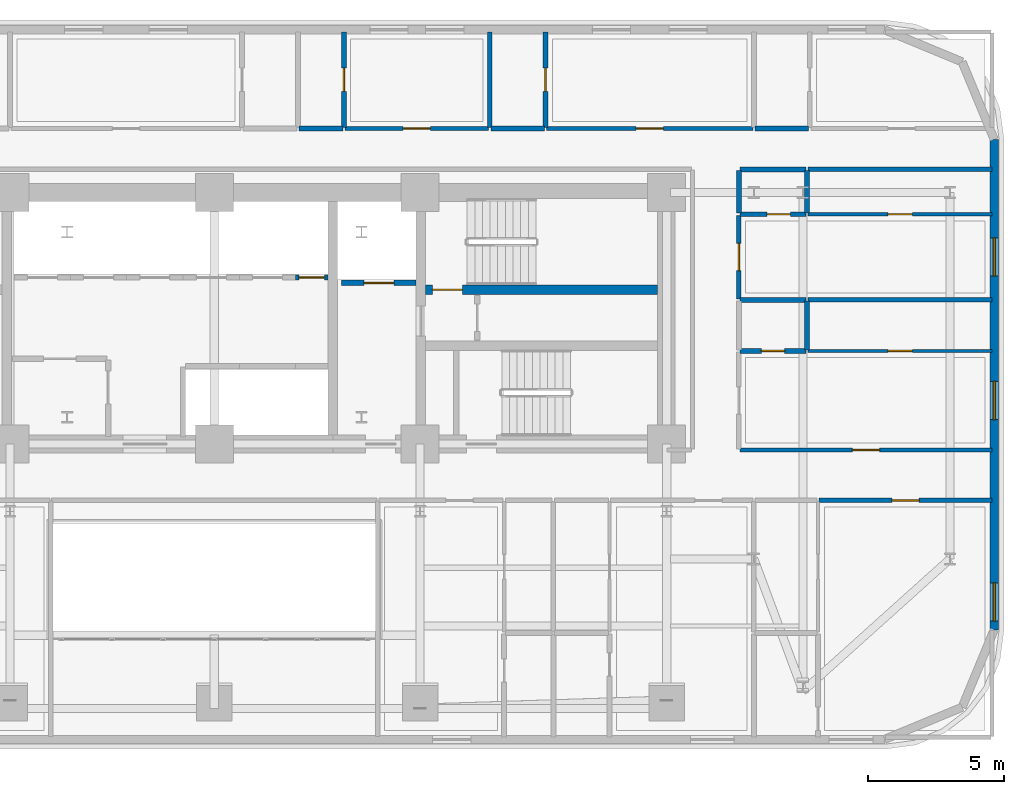
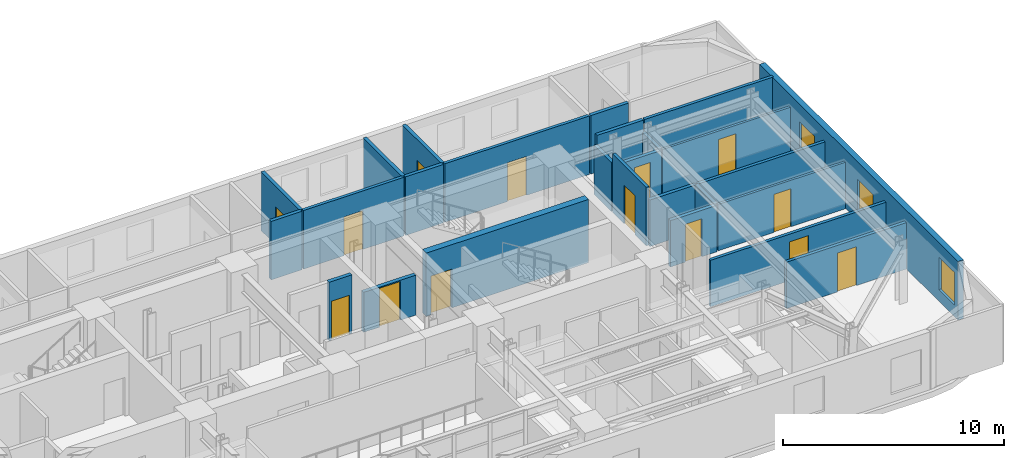
# One storey, part 12 of 16: 26 walls, 14 doors, 3 windows, 17 openings.
"""IFC4 building model written with IfcOpenShell, lengths in metres."""

from ifc_helpers import new_model, si_unit, direction, frame, frame_2d, origin, place, context, subcontext, project, spatial, rectangle, extrude, material, layer, layer_set, type_object, element, fill, save


model = new_model("IFC4")

# Units and contexts
model_context = context("Model", 3, precision=1e-05, world=origin(), true_north=direction((0.0, 1.0)))
body_context = subcontext(model_context, "Body", "Model", "MODEL_VIEW")
ifc_project = project(units=[si_unit("LENGTHUNIT", "METRE"), si_unit("AREAUNIT", "SQUARE_METRE"), si_unit("VOLUMEUNIT", "CUBIC_METRE"), si_unit("PLANEANGLEUNIT", "RADIAN"), si_unit("MASSUNIT", "GRAM", prefix="KILO")], contexts=[model_context])

# Site, building, storey
site_placement = place(None, origin())
site = spatial("IfcSite", under=ifc_project, at=site_placement, CompositionType="ELEMENT")
building_placement = place(site_placement, origin())
building = spatial("IfcBuilding", under=site, at=building_placement, Name="Zarnavel Station Tower", CompositionType="ELEMENT")
storey_placement = place(building_placement, frame((0.0, 0.0, 86.300048828125)))
storey = spatial("IfcBuildingStorey", under=building, at=storey_placement, Name="L23", CompositionType="ELEMENT", Elevation=86.300048828125)

# Wall, opening, door
ifc_material_1 = material(Name="Concrete C50/60", Category="concrete")
ifc_layer_1 = layer(ifc_material_1, 0.35009765625)
ifc_layer_set_1 = layer_set([ifc_layer_1], Name="CW_350")
wall_type_1 = type_object("IfcWallType", Name="CW_350", PredefinedType="SHEAR", material=ifc_layer_set_1)
wall_1_placement = place(storey_placement, frame((45.054931640625, 33.47998046875, 0.0), z_axis=(0.0, 0.0, 1.0), x_axis=(-1.0, 0.0, 0.0)))
wall_1 = element("IfcWall", 1, at=wall_1_placement, inside=storey, type_object=wall_type_1, Name="L23 Rear Core Shear Wall DIV-H2", PredefinedType="SHEAR", context=body_context, shape_type="SweptSolid", body=[
    extrude(rectangle(XDim=8.5, YDim=0.35009765625, at=frame_2d((4.25, 0.0))), origin(), (0.0, 0.0, 1.0), 3.5),
])
opening_1_placement = place(wall_1_placement, frame((7.155029296875, 0.0, 0.0)))
opening_1 = element("IfcOpeningElement", 2, at=opening_1_placement, cuts=wall_1, Name="Opening FD01", PredefinedType="OPENING", context=body_context, shape_type="SweptSolid", body=[
    extrude(rectangle(XDim=1.10009765625, YDim=2.14990234375, at=frame_2d((0.550048828125, 1.074951171875))), frame((0.0, 0.18505859375, 0.0), z_axis=(0.0, -1.0, 0.0), x_axis=(1.0, 0.0, 0.0)), (0.0, 0.0, 1.0), 0.3701171875),
])
ifc_material_2 = material(Name="Painted Galvanised Steel and Hardwood Leaf", Category="steel")
door_type_1 = type_object("IfcDoorType", Name="ID_STAIR_1100", OperationType="NOTDEFINED", PredefinedType="DOOR", material=ifc_material_2)
door_1_placement = place(opening_1_placement, origin())
door_1 = element("IfcDoor", 3, at=door_1_placement, inside=storey, type_object=door_type_1, Name="L23 Stair ST2 Lobby Fire Door", OperationType="SINGLE_SWING_RIGHT", OverallHeight=2.14990234375, OverallWidth=1.10009765625, PredefinedType="DOOR", context=body_context, shape_type="SweptSolid", body=[
    extrude(rectangle(XDim=1.10009765625, YDim=2.14990234375, at=frame_2d((0.550048828125, 1.074951171875))), frame((0.0, 0.02490234375, 0.0), z_axis=(0.0, -1.0, 0.0), x_axis=(1.0, 0.0, 0.0)), (0.0, 0.0, 1.0), 0.050048828125),
])
fill(opening_1, door_1)

# Wall, openings, windows
ifc_material_3 = material(Name="Precast concrete C45/55 (Dark Basalt Finish)", Category="masonry")
ifc_layer_2 = layer(ifc_material_3, 0.300048828125)
ifc_layer_set_2 = layer_set([ifc_layer_2], Name="EW_BASALT_300")
wall_type_2 = type_object("IfcWallType", Name="EW_BASALT_300", PredefinedType="SOLIDWALL", material=ifc_layer_set_2)
wall_2_placement = place(storey_placement, frame((57.419921875, 39.0, 0.0), z_axis=(0.0, 0.0, 1.0), x_axis=(0.0, -1.0, 0.0)))
wall_2 = element("IfcWall", 4, at=wall_2_placement, inside=storey, type_object=wall_type_2, Name="L23 Exterior Basalt Masonry Frame Wall 03", PredefinedType="SOLIDWALL", context=body_context, shape_type="SweptSolid", body=[
    extrude(rectangle(XDim=18.0, YDim=0.300048828125, at=frame_2d((9.0, 0.0))), origin(), (0.0, 0.0, 1.0), 3.239990234375),
])
opening_2_placement = place(wall_2_placement, frame((8.882080078125, 0.0, 0.47998046875)))
opening_2 = element("IfcOpeningElement", 5, at=opening_2_placement, cuts=wall_2, Name="Opening WN01", PredefinedType="OPENING", context=body_context, shape_type="SweptSolid", body=[
    extrude(rectangle(XDim=1.39990234375, YDim=1.800048828125, at=frame_2d((0.699951171875, 0.89990234375))), frame((0.0, 0.159912109375, 0.0), z_axis=(0.0, -1.0, 0.0), x_axis=(1.0, 0.0, 0.0)), (0.0, 0.0, 1.0), 0.320068359375),
])
opening_3_placement = place(wall_2_placement, frame((3.62060546875, 0.0, 0.47998046875)))
opening_3 = element("IfcOpeningElement", 6, at=opening_3_placement, cuts=wall_2, Name="Opening WN01", PredefinedType="OPENING", context=body_context, shape_type="SweptSolid", body=[
    extrude(rectangle(XDim=1.39990234375, YDim=1.800048828125, at=frame_2d((0.699951171875, 0.89990234375))), frame((0.0, 0.159912109375, 0.0), z_axis=(0.0, -1.0, 0.0), x_axis=(1.0, 0.0, 0.0)), (0.0, 0.0, 1.0), 0.320068359375),
])
opening_4_placement = place(wall_2_placement, frame((16.280029296875, 0.0, 0.64990234375)))
opening_4 = element("IfcOpeningElement", 7, at=opening_4_placement, cuts=wall_2, Name="Opening WN01", PredefinedType="OPENING", context=body_context, shape_type="SweptSolid", body=[
    extrude(rectangle(XDim=1.39990234375, YDim=1.800048828125, at=frame_2d((0.699951171875, 0.89990234375))), frame((0.0, 0.159912109375, 0.0), z_axis=(0.0, -1.0, 0.0), x_axis=(1.0, 0.0, 0.0)), (0.0, 0.0, 1.0), 0.320068359375),
])
ifc_material_4 = material(Name="Thermally Broken Black Aluminium and Low-E Dark Glass", Category="aluminium")
window_type = type_object("IfcWindowType", Name="WN_1400x1800", PartitioningType="DOUBLE_PANEL_VERTICAL", PredefinedType="WINDOW", material=ifc_material_4)
window_1_placement = place(opening_2_placement, origin())
window_1 = element("IfcWindow", 8, at=window_1_placement, inside=storey, type_object=window_type, Name="L23 Recessed Facade Window 01", OverallHeight=1.800048828125, OverallWidth=1.39990234375, PartitioningType="SINGLE_PANEL", PredefinedType="WINDOW", context=body_context, shape_type="SweptSolid", body=[
    extrude(rectangle(XDim=1.39990234375, YDim=1.800048828125, at=frame_2d((0.699951171875, 0.89990234375))), frame((0.0, 0.030029296875, 0.0), z_axis=(0.0, -1.0, 0.0), x_axis=(1.0, 0.0, 0.0)), (0.0, 0.0, 1.0), 0.06005859375),
])
fill(opening_2, window_1)
window_2_placement = place(opening_3_placement, origin())
window_2 = element("IfcWindow", 9, at=window_2_placement, inside=storey, type_object=window_type, Name="L23 Recessed Facade Window 02", OverallHeight=1.800048828125, OverallWidth=1.39990234375, PartitioningType="SINGLE_PANEL", PredefinedType="WINDOW", context=body_context, shape_type="SweptSolid", body=[
    extrude(rectangle(XDim=1.39990234375, YDim=1.800048828125, at=frame_2d((0.699951171875, 0.89990234375))), frame((0.0, 0.030029296875, 0.0), z_axis=(0.0, -1.0, 0.0), x_axis=(1.0, 0.0, 0.0)), (0.0, 0.0, 1.0), 0.06005859375),
])
fill(opening_3, window_2)
window_3_placement = place(opening_4_placement, origin())
window_3 = element("IfcWindow", 10, at=window_3_placement, inside=storey, type_object=window_type, Name="L23 Recessed Facade Window 03", OverallHeight=1.800048828125, OverallWidth=1.39990234375, PartitioningType="SINGLE_PANEL", PredefinedType="WINDOW", context=body_context, shape_type="SweptSolid", body=[
    extrude(rectangle(XDim=1.39990234375, YDim=1.800048828125, at=frame_2d((0.699951171875, 0.89990234375))), frame((0.0, 0.030029296875, 0.0), z_axis=(0.0, -1.0, 0.0), x_axis=(1.0, 0.0, 0.0)), (0.0, 0.0, 1.0), 0.06005859375),
])
fill(opening_4, window_3)

# Wall, opening, door
ifc_material_5 = material(Name="Gypsum Twin-Stud Acoustic Fire Partition", Category="concrete")
ifc_layer_3 = layer(ifc_material_5, 0.159912109375)
ifc_layer_set_3 = layer_set([ifc_layer_3], Name="PT_DEMISE_160")
wall_type_3 = type_object("IfcWallType", Name="PT_DEMISE_160", PredefinedType="PARTITIONING", material=ifc_layer_set_3)
wall_3_placement = place(storey_placement, frame((48.090087890625, 27.60009765625, 0.0), z_axis=(0.0, 0.0, 1.0), x_axis=(1.0, 0.0, 0.0)))
wall_3 = element("IfcWall", 11, at=wall_3_placement, inside=storey, type_object=wall_type_3, Name="L23 Partition COR-S-FNE1R", PredefinedType="PARTITIONING", context=body_context, shape_type="SweptSolid", body=[
    extrude(rectangle(XDim=9.25, YDim=0.159912109375, at=frame_2d((4.625, 0.0))), origin(), (0.0, 0.0, 1.0), 2.570068359375),
])
opening_5_placement = place(wall_3_placement, frame((4.125, 0.0, 0.0)))
opening_5 = element("IfcOpeningElement", 12, at=opening_5_placement, cuts=wall_3, Name="Opening FD02", PredefinedType="OPENING", context=body_context, shape_type="SweptSolid", body=[
    extrude(rectangle(XDim=1.0, YDim=2.14990234375, at=frame_2d((0.5, 1.074951171875))), frame((0.0, 0.08984375, 0.0), z_axis=(0.0, -1.0, 0.0), x_axis=(1.0, 0.0, 0.0)), (0.0, 0.0, 1.0), 0.179931640625),
])
ifc_material_6 = material(Name="Painted Galvanised Steel and Hardwood Leaf", Category="steel")
door_type_2 = type_object("IfcDoorType", Name="ID_ENTRY_1000", OperationType="NOTDEFINED", PredefinedType="DOOR", material=ifc_material_6)
door_2_placement = place(opening_5_placement, origin())
door_2 = element("IfcDoor", 13, at=door_2_placement, inside=storey, type_object=door_type_2, Name="L23 Door COR-S-FNE1R", OperationType="SINGLE_SWING_RIGHT", OverallHeight=2.14990234375, OverallWidth=1.0, PredefinedType="DOOR", context=body_context, shape_type="SweptSolid", body=[
    extrude(rectangle(XDim=1.0, YDim=2.14990234375, at=frame_2d((0.5, 1.074951171875))), frame((0.0, 0.02490234375, 0.0), z_axis=(0.0, -1.0, 0.0), x_axis=(1.0, 0.0, 0.0)), (0.0, 0.0, 1.0), 0.050048828125),
])
fill(opening_5, door_2)

wall_4_placement = place(storey_placement, frame((50.989990234375, 25.75, 0.0), z_axis=(0.0, 0.0, 1.0), x_axis=(1.0, 0.0, 0.0)))
wall_4 = element("IfcWall", 14, at=wall_4_placement, inside=storey, type_object=wall_type_3, Name="L23 Partition COR-S-HE3R", PredefinedType="PARTITIONING", context=body_context, shape_type="SweptSolid", body=[
    extrude(rectangle(XDim=6.35009765625, YDim=0.159912109375, at=frame_2d((3.175048828125, 0.0))), origin(), (0.0, 0.0, 1.0), 2.570068359375),
])
opening_6_placement = place(wall_4_placement, frame((2.675048828125, 0.0, 0.0)))
opening_6 = element("IfcOpeningElement", 15, at=opening_6_placement, cuts=wall_4, Name="Opening FD02", PredefinedType="OPENING", context=body_context, shape_type="SweptSolid", body=[
    extrude(rectangle(XDim=1.0, YDim=2.14990234375, at=frame_2d((0.5, 1.074951171875))), frame((0.0, 0.08984375, 0.0), z_axis=(0.0, -1.0, 0.0), x_axis=(1.0, 0.0, 0.0)), (0.0, 0.0, 1.0), 0.179931640625),
])
door_3_placement = place(opening_6_placement, origin())
door_3 = element("IfcDoor", 16, at=door_3_placement, inside=storey, type_object=door_type_2, Name="L23 Door COR-S-HE3R", OperationType="SINGLE_SWING_RIGHT", OverallHeight=2.14990234375, OverallWidth=1.0, PredefinedType="DOOR", context=body_context, shape_type="SweptSolid", body=[
    extrude(rectangle(XDim=1.0, YDim=2.14990234375, at=frame_2d((0.5, 1.074951171875))), frame((0.0, 0.02490234375, 0.0), z_axis=(0.0, -1.0, 0.0), x_axis=(1.0, 0.0, 0.0)), (0.0, 0.0, 1.0), 0.050048828125),
])
fill(opening_6, door_3)

wall_5_placement = place(storey_placement, frame((48.050048828125, 33.14892578125, 0.0), z_axis=(0.0, 0.0, 1.0), x_axis=(0.0, 1.0, 0.0)))
wall_5 = element("IfcWall", 17, at=wall_5_placement, inside=storey, type_object=wall_type_3, Name="L23 Partition COR-E-FNE2R", PredefinedType="PARTITIONING", context=body_context, shape_type="SweptSolid", body=[
    extrude(rectangle(XDim=3.06103515625, YDim=0.159912109375, at=frame_2d((1.530517578125, 0.0))), origin(), (0.0, 0.0, 1.0), 3.239990234375),
])
opening_7_placement = place(wall_5_placement, frame((1.030517578125, 0.0, 0.0)))
opening_7 = element("IfcOpeningElement", 18, at=opening_7_placement, cuts=wall_5, Name="Opening FD02", PredefinedType="OPENING", context=body_context, shape_type="SweptSolid", body=[
    extrude(rectangle(XDim=1.0, YDim=2.14990234375, at=frame_2d((0.5, 1.074951171875))), frame((0.0, 0.08984375, 0.0), z_axis=(0.0, -1.0, 0.0), x_axis=(1.0, 0.0, 0.0)), (0.0, 0.0, 1.0), 0.179931640625),
])
door_4_placement = place(opening_7_placement, origin())
door_4 = element("IfcDoor", 19, at=door_4_placement, inside=storey, type_object=door_type_2, Name="L23 Door COR-E-FNE2R", OperationType="SINGLE_SWING_RIGHT", OverallHeight=2.14990234375, OverallWidth=1.0, PredefinedType="DOOR", context=body_context, shape_type="SweptSolid", body=[
    extrude(rectangle(XDim=1.0, YDim=2.14990234375, at=frame_2d((0.5, 1.074951171875))), frame((0.0, 0.02490234375, 0.0), z_axis=(0.0, -1.0, 0.0), x_axis=(1.0, 0.0, 0.0)), (0.0, 0.0, 1.0), 0.050048828125),
])
fill(opening_7, door_4)

# Wall
wall_6_placement = place(storey_placement, frame((50.590087890625, 37.89990234375, 0.0), z_axis=(0.0, 0.0, 1.0), x_axis=(1.0, 0.0, 0.0)))
element("IfcWall", 20, at=wall_6_placement, inside=storey, type_object=wall_type_3, Name="L23 Partition COR-N-FNE2S", PredefinedType="PARTITIONING", context=body_context, shape_type="SweptSolid", body=[
    extrude(rectangle(XDim=6.75, YDim=0.159912109375, at=frame_2d((3.375, 0.0))), origin(), (0.0, 0.0, 1.0), 3.239990234375),
])

# Wall, opening, door
wall_7_placement = place(storey_placement, frame((33.594970703125, 39.39990234375, 0.0), z_axis=(0.0, 0.0, 1.0), x_axis=(1.0, 0.0, 0.0)))
wall_7 = element("IfcWall", 21, at=wall_7_placement, inside=storey, type_object=wall_type_3, Name="L23 Partition COR-N-HN3R", PredefinedType="PARTITIONING", context=body_context, shape_type="SweptSolid", body=[
    extrude(rectangle(XDim=5.27294921875, YDim=0.159912109375, at=frame_2d((2.636474609375, 0.0))), origin(), (0.0, 0.0, 1.0), 3.239990234375),
])
opening_8_placement = place(wall_7_placement, frame((2.136474609375, 0.0, 0.0)))
opening_8 = element("IfcOpeningElement", 22, at=opening_8_placement, cuts=wall_7, Name="Opening FD02", PredefinedType="OPENING", context=body_context, shape_type="SweptSolid", body=[
    extrude(rectangle(XDim=1.0, YDim=2.14990234375, at=frame_2d((0.5, 1.074951171875))), frame((0.0, 0.08984375, 0.0), z_axis=(0.0, -1.0, 0.0), x_axis=(1.0, 0.0, 0.0)), (0.0, 0.0, 1.0), 0.179931640625),
])
door_5_placement = place(opening_8_placement, origin())
door_5 = element("IfcDoor", 23, at=door_5_placement, inside=storey, type_object=door_type_2, Name="L23 Door COR-N-HN3R", OperationType="SINGLE_SWING_RIGHT", OverallHeight=2.14990234375, OverallWidth=1.0, PredefinedType="DOOR", context=body_context, shape_type="SweptSolid", body=[
    extrude(rectangle(XDim=1.0, YDim=2.14990234375, at=frame_2d((0.5, 1.074951171875))), frame((0.0, 0.02490234375, 0.0), z_axis=(0.0, -1.0, 0.0), x_axis=(1.0, 0.0, 0.0)), (0.0, 0.0, 1.0), 0.050048828125),
])
fill(opening_8, door_5)

wall_8_placement = place(storey_placement, frame((40.998046875, 39.39990234375, 0.0), z_axis=(0.0, 0.0, 1.0), x_axis=(1.0, 0.0, 0.0)))
wall_8 = element("IfcWall", 24, at=wall_8_placement, inside=storey, type_object=wall_type_3, Name="L23 Partition COR-N-HN4R", PredefinedType="PARTITIONING", context=body_context, shape_type="SweptSolid", body=[
    extrude(rectangle(XDim=7.56201171875, YDim=0.159912109375, at=frame_2d((3.781005859375, 0.0))), origin(), (0.0, 0.0, 1.0), 3.239990234375),
])
opening_9_placement = place(wall_8_placement, frame((3.281005859375, 0.0, 0.0)))
opening_9 = element("IfcOpeningElement", 25, at=opening_9_placement, cuts=wall_8, Name="Opening FD02", PredefinedType="OPENING", context=body_context, shape_type="SweptSolid", body=[
    extrude(rectangle(XDim=1.0, YDim=2.14990234375, at=frame_2d((0.5, 1.074951171875))), frame((0.0, 0.08984375, 0.0), z_axis=(0.0, -1.0, 0.0), x_axis=(1.0, 0.0, 0.0)), (0.0, 0.0, 1.0), 0.179931640625),
])
door_6_placement = place(opening_9_placement, origin())
door_6 = element("IfcDoor", 26, at=door_6_placement, inside=storey, type_object=door_type_2, Name="L23 Door COR-N-HN4R", OperationType="SINGLE_SWING_LEFT", OverallHeight=2.14990234375, OverallWidth=1.0, PredefinedType="DOOR", context=body_context, shape_type="SweptSolid", body=[
    extrude(rectangle(XDim=1.0, YDim=2.14990234375, at=frame_2d((0.5, 1.074951171875))), frame((0.0, 0.02490234375, 0.0), z_axis=(0.0, -1.0, 0.0), x_axis=(1.0, 0.0, 0.0)), (0.0, 0.0, 1.0), 0.050048828125),
])
fill(opening_9, door_6)

# Wall
wall_9_placement = place(storey_placement, frame((50.590087890625, 33.10888671875, 0.0), z_axis=(0.0, 0.0, 1.0), x_axis=(1.0, 0.0, 0.0)))
element("IfcWall", 27, at=wall_9_placement, inside=storey, type_object=wall_type_3, Name="L23 Partition FNE1S-FNE2R", PredefinedType="PARTITIONING", context=body_context, shape_type="SweptSolid", body=[
    extrude(rectangle(XDim=6.75, YDim=0.159912109375, at=frame_2d((3.375, 0.0))), origin(), (0.0, 0.0, 1.0), 2.570068359375),
])

# Wall, opening, door
ifc_material_7 = material(Name="Gypsum Metal-Stud Interior Partition", Category="concrete")
ifc_layer_4 = layer(ifc_material_7, 0.1201171875)
ifc_layer_set_4 = layer_set([ifc_layer_4], Name="PT_ROOM_120")
wall_type_4 = type_object("IfcWallType", Name="PT_ROOM_120", PredefinedType="PARTITIONING", material=ifc_layer_set_4)
wall_10_placement = place(storey_placement, frame((50.590087890625, 31.236083984375, 0.0), z_axis=(0.0, 0.0, 1.0), x_axis=(1.0, 0.0, 0.0)))
wall_10 = element("IfcWall", 28, at=wall_10_placement, inside=storey, type_object=wall_type_4, Name="L23 Partition FNE1R-FNE1S", PredefinedType="PARTITIONING", context=body_context, shape_type="SweptSolid", body=[
    extrude(rectangle(XDim=6.75, YDim=0.1201171875, at=frame_2d((3.375, 0.0))), origin(), (0.0, 0.0, 1.0), 2.570068359375),
])
opening_10_placement = place(wall_10_placement, frame((2.925048828125, 0.0, 0.0)))
opening_10 = element("IfcOpeningElement", 29, at=opening_10_placement, cuts=wall_10, Name="Opening ID01", PredefinedType="OPENING", context=body_context, shape_type="SweptSolid", body=[
    extrude(rectangle(XDim=0.89990234375, YDim=2.10009765625, at=frame_2d((0.449951171875, 1.050048828125))), frame((0.0, 0.070068359375, 0.0), z_axis=(0.0, -1.0, 0.0), x_axis=(1.0, 0.0, 0.0)), (0.0, 0.0, 1.0), 0.14013671875),
])
ifc_material_8 = material(Name="Painted Galvanised Steel and Hardwood Leaf", Category="steel")
door_type_3 = type_object("IfcDoorType", Name="ID_ROOM_900", OperationType="NOTDEFINED", PredefinedType="DOOR", material=ifc_material_8)
door_7_placement = place(opening_10_placement, origin())
door_7 = element("IfcDoor", 30, at=door_7_placement, inside=storey, type_object=door_type_3, Name="L23 Door FNE1R-FNE1S", OperationType="SINGLE_SWING_RIGHT", OverallHeight=2.10009765625, OverallWidth=0.89990234375, PredefinedType="DOOR", context=body_context, shape_type="SweptSolid", body=[
    extrude(rectangle(XDim=0.89990234375, YDim=2.10009765625, at=frame_2d((0.449951171875, 1.050048828125))), frame((0.0, 0.02490234375, 0.0), z_axis=(0.0, -1.0, 0.0), x_axis=(1.0, 0.0, 0.0)), (0.0, 0.0, 1.0), 0.050048828125),
])
fill(opening_10, door_7)

wall_11_placement = place(storey_placement, frame((50.590087890625, 36.25, 0.0), z_axis=(0.0, 0.0, 1.0), x_axis=(1.0, 0.0, 0.0)))
wall_11 = element("IfcWall", 31, at=wall_11_placement, inside=storey, type_object=wall_type_4, Name="L23 Partition FNE2R-FNE2S", PredefinedType="PARTITIONING", context=body_context, shape_type="SweptSolid", body=[
    extrude(rectangle(XDim=6.75, YDim=0.1201171875, at=frame_2d((3.375, 0.0))), origin(), (0.0, 0.0, 1.0), 2.570068359375),
])
opening_11_placement = place(wall_11_placement, frame((2.925048828125, 0.0, 0.0)))
opening_11 = element("IfcOpeningElement", 32, at=opening_11_placement, cuts=wall_11, Name="Opening ID01", PredefinedType="OPENING", context=body_context, shape_type="SweptSolid", body=[
    extrude(rectangle(XDim=0.89990234375, YDim=2.10009765625, at=frame_2d((0.449951171875, 1.050048828125))), frame((0.0, 0.070068359375, 0.0), z_axis=(0.0, -1.0, 0.0), x_axis=(1.0, 0.0, 0.0)), (0.0, 0.0, 1.0), 0.14013671875),
])
door_8_placement = place(opening_11_placement, origin())
door_8 = element("IfcDoor", 33, at=door_8_placement, inside=storey, type_object=door_type_3, Name="L23 Door FNE2R-FNE2S", OperationType="SINGLE_SWING_RIGHT", OverallHeight=2.10009765625, OverallWidth=0.89990234375, PredefinedType="DOOR", context=body_context, shape_type="SweptSolid", body=[
    extrude(rectangle(XDim=0.89990234375, YDim=2.10009765625, at=frame_2d((0.449951171875, 1.050048828125))), frame((0.0, 0.02490234375, 0.0), z_axis=(0.0, -1.0, 0.0), x_axis=(1.0, 0.0, 0.0)), (0.0, 0.0, 1.0), 0.050048828125),
])
fill(opening_11, door_8)

ifc_material_9 = material(Name="Precast concrete C45/55 (Fire Shaft Blockwork)", Category="masonry")
ifc_layer_5 = layer(ifc_material_9, 0.199951171875)
ifc_layer_set_5 = layer_set([ifc_layer_5], Name="PT_SHAFT_200")
wall_type_5 = type_object("IfcWallType", Name="PT_SHAFT_200", PredefinedType="PARTITIONING", material=ifc_layer_set_5)
wall_12_placement = place(storey_placement, frame((33.47509765625, 33.72998046875, 0.0), z_axis=(0.0, 0.0, 1.0), x_axis=(1.0, 0.0, 0.0)))
wall_12 = element("IfcWall", 34, at=wall_12_placement, inside=storey, type_object=wall_type_5, Name="L23 Lift FFL-02 Shaft Front Wall", PredefinedType="PARTITIONING", context=body_context, shape_type="SweptSolid", body=[
    extrude(rectangle(XDim=2.724853515625, YDim=0.199951171875, at=frame_2d((1.3623046875, 0.0))), origin(), (0.0, 0.0, 1.0), 2.2119140625),
])
opening_12_placement = place(wall_12_placement, frame((0.8125, 0.0, 0.0)))
opening_12 = element("IfcOpeningElement", 35, at=opening_12_placement, cuts=wall_12, Name="Opening LD01", PredefinedType="OPENING", context=body_context, shape_type="SweptSolid", body=[
    extrude(rectangle(XDim=1.10009765625, YDim=2.14990234375, at=frame_2d((0.550048828125, 1.074951171875))), frame((0.0, 0.10986328125, 0.0), z_axis=(0.0, -1.0, 0.0), x_axis=(1.0, 0.0, 0.0)), (0.0, 0.0, 1.0), 0.219970703125),
])
ifc_material_10 = material(Name="Painted Galvanised Steel and Hardwood Leaf", Category="steel")
door_type_4 = type_object("IfcDoorType", Name="LD_FF_1100", OperationType="DOUBLE_DOOR_SLIDING", PredefinedType="DOOR", material=ifc_material_10)
door_9_placement = place(opening_12_placement, origin())
door_9 = element("IfcDoor", 36, at=door_9_placement, inside=storey, type_object=door_type_4, Name="L23 Lift FFL-02 Sliding Landing Door", OperationType="DOUBLE_DOOR_SLIDING", OverallHeight=2.14990234375, OverallWidth=1.10009765625, PredefinedType="DOOR", context=body_context, shape_type="SweptSolid", body=[
    extrude(rectangle(XDim=1.10009765625, YDim=2.14990234375, at=frame_2d((0.550048828125, 1.074951171875))), frame((0.0, 0.02490234375, 0.0), z_axis=(0.0, -1.0, 0.0), x_axis=(1.0, 0.0, 0.0)), (0.0, 0.0, 1.0), 0.050048828125),
])
fill(opening_12, door_9)

wall_13_placement = place(storey_placement, frame((31.77490234375, 33.929931640625, 0.0), z_axis=(0.0, 0.0, 1.0), x_axis=(1.0, 0.0, 0.0)))
wall_13 = element("IfcWall", 37, at=wall_13_placement, inside=storey, type_object=wall_type_5, Name="L23 Lift PL-M3 Shaft Front Wall", PredefinedType="PARTITIONING", context=body_context, shape_type="SweptSolid", body=[
    extrude(rectangle(XDim=1.2001953125, YDim=0.199951171875, at=frame_2d((0.60009765625, 0.0))), origin(), (0.0, 0.0, 1.0), 3.239990234375),
])
opening_13_placement = place(wall_13_placement, frame((0.125, 0.0, 0.0)))
opening_13 = element("IfcOpeningElement", 38, at=opening_13_placement, cuts=wall_13, Name="Opening LD03", PredefinedType="OPENING", context=body_context, shape_type="SweptSolid", body=[
    extrude(rectangle(XDim=0.949951171875, YDim=2.14990234375, at=frame_2d((0.47509765625, 1.074951171875))), frame((0.0, 0.10986328125, 0.0), z_axis=(0.0, -1.0, 0.0), x_axis=(1.0, 0.0, 0.0)), (0.0, 0.0, 1.0), 0.219970703125),
])
ifc_material_11 = material(Name="Painted Galvanised Steel and Hardwood Leaf", Category="steel")
door_type_5 = type_object("IfcDoorType", Name="LD_PAX_0950", OperationType="DOUBLE_DOOR_SLIDING", PredefinedType="DOOR", material=ifc_material_11)
door_10_placement = place(opening_13_placement, origin())
door_10 = element("IfcDoor", 39, at=door_10_placement, inside=storey, type_object=door_type_5, Name="L23 Lift PL-M3 Sliding Landing Door", OperationType="DOUBLE_DOOR_SLIDING", OverallHeight=2.14990234375, OverallWidth=0.949951171875, PredefinedType="DOOR", context=body_context, shape_type="SweptSolid", body=[
    extrude(rectangle(XDim=0.949951171875, YDim=2.14990234375, at=frame_2d((0.47509765625, 1.074951171875))), frame((0.0, 0.02490234375, 0.0), z_axis=(0.0, -1.0, 0.0), x_axis=(1.0, 0.0, 0.0)), (0.0, 0.0, 1.0), 0.050048828125),
])
fill(opening_13, door_10)

# Walls
ifc_material_12 = material(Name="Moisture-Resistant Plumbing Chase Wall", Category="concrete")
ifc_layer_6 = layer(ifc_material_12, 0.179931640625)
ifc_layer_set_6 = layer_set([ifc_layer_6], Name="PW_PLUMB_180")
wall_type_6 = type_object("IfcWallType", Name="PW_PLUMB_180", PredefinedType="PLUMBINGWALL", material=ifc_layer_set_6)
wall_14_placement = place(storey_placement, frame((48.050048828125, 36.2900390625, 0.0), z_axis=(0.0, 0.0, 1.0), x_axis=(0.0, 1.0, 0.0)))
element("IfcWall", 40, at=wall_14_placement, inside=storey, type_object=wall_type_6, Name="L23 Partition COR-E-FNE2B", PredefinedType="PLUMBINGWALL", context=body_context, shape_type="SweptSolid", body=[
    extrude(rectangle(XDim=1.570068359375, YDim=0.179931640625, at=frame_2d((0.78515625, 0.0))), origin(), (0.0, 0.0, 1.0), 2.719970703125),
])
wall_15_placement = place(storey_placement, frame((48.090087890625, 37.89990234375, 0.0), z_axis=(0.0, 0.0, 1.0), x_axis=(1.0, 0.0, 0.0)))
element("IfcWall", 41, at=wall_15_placement, inside=storey, type_object=wall_type_6, Name="L23 Partition COR-N-FNE2B", PredefinedType="PLUMBINGWALL", context=body_context, shape_type="SweptSolid", body=[
    extrude(rectangle(XDim=2.419921875, YDim=0.179931640625, at=frame_2d((1.2099609375, 0.0))), origin(), (0.0, 0.0, 1.0), 3.239990234375),
])
wall_16_placement = place(storey_placement, frame((31.905029296875, 39.39990234375, 0.0), z_axis=(0.0, 0.0, 1.0), x_axis=(1.0, 0.0, 0.0)))
element("IfcWall", 42, at=wall_16_placement, inside=storey, type_object=wall_type_6, Name="L23 Partition COR-N-HN3B", PredefinedType="PLUMBINGWALL", context=body_context, shape_type="SweptSolid", body=[
    extrude(rectangle(XDim=1.60986328125, YDim=0.179931640625, at=frame_2d((0.804931640625, 0.0))), origin(), (0.0, 0.0, 1.0), 3.239990234375),
])
wall_17_placement = place(storey_placement, frame((38.947998046875, 39.39990234375, 0.0), z_axis=(0.0, 0.0, 1.0), x_axis=(1.0, 0.0, 0.0)))
element("IfcWall", 43, at=wall_17_placement, inside=storey, type_object=wall_type_6, Name="L23 Partition COR-N-HN4B", PredefinedType="PLUMBINGWALL", context=body_context, shape_type="SweptSolid", body=[
    extrude(rectangle(XDim=1.969970703125, YDim=0.179931640625, at=frame_2d((0.98486328125, 0.0))), origin(), (0.0, 0.0, 1.0), 3.239990234375),
])
wall_18_placement = place(storey_placement, frame((48.639892578125, 39.39990234375, 0.0), z_axis=(0.0, 0.0, 1.0), x_axis=(1.0, 0.0, 0.0)))
element("IfcWall", 44, at=wall_18_placement, inside=storey, type_object=wall_type_6, Name="L23 Partition COR-N-HN5B", PredefinedType="PLUMBINGWALL", context=body_context, shape_type="SweptSolid", body=[
    extrude(rectangle(XDim=1.97021484375, YDim=0.179931640625, at=frame_2d((0.985107421875, 0.0))), origin(), (0.0, 0.0, 1.0), 3.239990234375),
])

# Wall, opening, door
wall_19_placement = place(storey_placement, frame((48.090087890625, 31.236083984375, 0.0), z_axis=(0.0, 0.0, 1.0), x_axis=(1.0, 0.0, 0.0)))
wall_19 = element("IfcWall", 45, at=wall_19_placement, inside=storey, type_object=wall_type_6, Name="L23 Partition FNE1R-FNE1B", PredefinedType="PLUMBINGWALL", context=body_context, shape_type="SweptSolid", body=[
    extrude(rectangle(XDim=2.419921875, YDim=0.179931640625, at=frame_2d((1.2099609375, 0.0))), origin(), (0.0, 0.0, 1.0), 2.570068359375),
])
opening_14_placement = place(wall_19_placement, frame((0.784912109375, 0.0, 0.0)))
opening_14 = element("IfcOpeningElement", 46, at=opening_14_placement, cuts=wall_19, Name="Opening ID02", PredefinedType="OPENING", context=body_context, shape_type="SweptSolid", body=[
    extrude(rectangle(XDim=0.85009765625, YDim=2.10009765625, at=frame_2d((0.425048828125, 1.050048828125))), frame((0.0, 0.099853515625, 0.0), z_axis=(0.0, -1.0, 0.0), x_axis=(1.0, 0.0, 0.0)), (0.0, 0.0, 1.0), 0.199951171875),
])
ifc_material_13 = material(Name="Painted Galvanised Steel and Hardwood Leaf", Category="steel")
door_type_6 = type_object("IfcDoorType", Name="ID_BATH_850", OperationType="NOTDEFINED", PredefinedType="DOOR", material=ifc_material_13)
door_11_placement = place(opening_14_placement, origin())
door_11 = element("IfcDoor", 47, at=door_11_placement, inside=storey, type_object=door_type_6, Name="L23 Door FNE1R-FNE1B", OperationType="SINGLE_SWING_LEFT", OverallHeight=2.10009765625, OverallWidth=0.85009765625, PredefinedType="DOOR", context=body_context, shape_type="SweptSolid", body=[
    extrude(rectangle(XDim=0.85009765625, YDim=2.10009765625, at=frame_2d((0.425048828125, 1.050048828125))), frame((0.0, 0.02490234375, 0.0), z_axis=(0.0, -1.0, 0.0), x_axis=(1.0, 0.0, 0.0)), (0.0, 0.0, 1.0), 0.050048828125),
])
fill(opening_14, door_11)

# Walls
wall_20_placement = place(storey_placement, frame((50.550048828125, 31.27587890625, 0.0), z_axis=(0.0, 0.0, 1.0), x_axis=(0.0, 1.0, 0.0)))
element("IfcWall", 48, at=wall_20_placement, inside=storey, type_object=wall_type_6, Name="L23 Partition FNE1B-FNE1S", PredefinedType="PLUMBINGWALL", context=body_context, shape_type="SweptSolid", body=[
    extrude(rectangle(XDim=1.793212890625, YDim=0.179931640625, at=frame_2d((0.896484375, 0.0))), origin(), (0.0, 0.0, 1.0), 2.570068359375),
])
wall_21_placement = place(storey_placement, frame((48.090087890625, 33.10888671875, 0.0), z_axis=(0.0, 0.0, 1.0), x_axis=(1.0, 0.0, 0.0)))
element("IfcWall", 49, at=wall_21_placement, inside=storey, type_object=wall_type_6, Name="L23 Partition FNE1B-FNE2R", PredefinedType="PLUMBINGWALL", context=body_context, shape_type="SweptSolid", body=[
    extrude(rectangle(XDim=2.419921875, YDim=0.179931640625, at=frame_2d((1.2099609375, 0.0))), origin(), (0.0, 0.0, 1.0), 2.570068359375),
])

# Wall, opening, door
wall_22_placement = place(storey_placement, frame((50.510009765625, 36.25, 0.0), z_axis=(0.0, 0.0, 1.0), x_axis=(-1.0, 0.0, 0.0)))
wall_22 = element("IfcWall", 50, at=wall_22_placement, inside=storey, type_object=wall_type_6, Name="L23 Partition FNE2R-FNE2B", PredefinedType="PLUMBINGWALL", context=body_context, shape_type="SweptSolid", body=[
    extrude(rectangle(XDim=2.419921875, YDim=0.179931640625, at=frame_2d((1.2099609375, 0.0))), origin(), (0.0, 0.0, 1.0), 2.570068359375),
])
opening_15_placement = place(wall_22_placement, frame((0.570068359375, 0.0, 0.0)))
opening_15 = element("IfcOpeningElement", 51, at=opening_15_placement, cuts=wall_22, Name="Opening ID02", PredefinedType="OPENING", context=body_context, shape_type="SweptSolid", body=[
    extrude(rectangle(XDim=0.85009765625, YDim=2.10009765625, at=frame_2d((0.425048828125, 1.050048828125))), frame((0.0, 0.099853515625, 0.0), z_axis=(0.0, -1.0, 0.0), x_axis=(1.0, 0.0, 0.0)), (0.0, 0.0, 1.0), 0.199951171875),
])
door_12_placement = place(opening_15_placement, origin())
door_12 = element("IfcDoor", 52, at=door_12_placement, inside=storey, type_object=door_type_6, Name="L23 Door FNE2R-FNE2B", OperationType="SINGLE_SWING_LEFT", OverallHeight=2.10009765625, OverallWidth=0.85009765625, PredefinedType="DOOR", context=body_context, shape_type="SweptSolid", body=[
    extrude(rectangle(XDim=0.85009765625, YDim=2.10009765625, at=frame_2d((0.425048828125, 1.050048828125))), frame((0.0, 0.02490234375, 0.0), z_axis=(0.0, -1.0, 0.0), x_axis=(1.0, 0.0, 0.0)), (0.0, 0.0, 1.0), 0.050048828125),
])
fill(opening_15, door_12)

# Wall
wall_23_placement = place(storey_placement, frame((50.550048828125, 36.2900390625, 0.0), z_axis=(0.0, 0.0, 1.0), x_axis=(0.0, 1.0, 0.0)))
element("IfcWall", 53, at=wall_23_placement, inside=storey, type_object=wall_type_6, Name="L23 Partition FNE2B-FNE2S", PredefinedType="PLUMBINGWALL", context=body_context, shape_type="SweptSolid", body=[
    extrude(rectangle(XDim=1.570068359375, YDim=0.179931640625, at=frame_2d((0.78515625, 0.0))), origin(), (0.0, 0.0, 1.0), 2.570068359375),
])

# Wall, opening, door
wall_24_placement = place(storey_placement, frame((33.554931640625, 39.43994140625, 0.0), z_axis=(0.0, 0.0, 1.0), x_axis=(0.0, 1.0, 0.0)))
wall_24 = element("IfcWall", 54, at=wall_24_placement, inside=storey, type_object=wall_type_6, Name="L23 Partition HN3R-HN3B", PredefinedType="PLUMBINGWALL", context=body_context, shape_type="SweptSolid", body=[
    extrude(rectangle(XDim=3.5, YDim=0.179931640625, at=frame_2d((1.75, 0.0))), origin(), (0.0, 0.0, 1.0), 3.239990234375),
])
opening_16_placement = place(wall_24_placement, frame((1.324951171875, 0.0, 0.0)))
opening_16 = element("IfcOpeningElement", 55, at=opening_16_placement, cuts=wall_24, Name="Opening ID02", PredefinedType="OPENING", context=body_context, shape_type="SweptSolid", body=[
    extrude(rectangle(XDim=0.85009765625, YDim=2.10009765625, at=frame_2d((0.425048828125, 1.050048828125))), frame((0.0, 0.099853515625, 0.0), z_axis=(0.0, -1.0, 0.0), x_axis=(1.0, 0.0, 0.0)), (0.0, 0.0, 1.0), 0.199951171875),
])
door_13_placement = place(opening_16_placement, origin())
door_13 = element("IfcDoor", 56, at=door_13_placement, inside=storey, type_object=door_type_6, Name="L23 Door HN3R-HN3B", OperationType="SINGLE_SWING_LEFT", OverallHeight=2.10009765625, OverallWidth=0.85009765625, PredefinedType="DOOR", context=body_context, shape_type="SweptSolid", body=[
    extrude(rectangle(XDim=0.85009765625, YDim=2.10009765625, at=frame_2d((0.425048828125, 1.050048828125))), frame((0.0, 0.02490234375, 0.0), z_axis=(0.0, -1.0, 0.0), x_axis=(1.0, 0.0, 0.0)), (0.0, 0.0, 1.0), 0.050048828125),
])
fill(opening_16, door_13)

# Wall
wall_25_placement = place(storey_placement, frame((38.907958984375, 39.43994140625, 0.0), z_axis=(0.0, 0.0, 1.0), x_axis=(0.0, 1.0, 0.0)))
element("IfcWall", 57, at=wall_25_placement, inside=storey, type_object=wall_type_6, Name="L23 Partition HN3R-HN4B", PredefinedType="PLUMBINGWALL", context=body_context, shape_type="SweptSolid", body=[
    extrude(rectangle(XDim=3.5, YDim=0.179931640625, at=frame_2d((1.75, 0.0))), origin(), (0.0, 0.0, 1.0), 3.239990234375),
])

# Wall, opening, door
wall_26_placement = place(storey_placement, frame((40.9580078125, 39.43994140625, 0.0), z_axis=(0.0, 0.0, 1.0), x_axis=(0.0, 1.0, 0.0)))
wall_26 = element("IfcWall", 58, at=wall_26_placement, inside=storey, type_object=wall_type_6, Name="L23 Partition HN4R-HN4B", PredefinedType="PLUMBINGWALL", context=body_context, shape_type="SweptSolid", body=[
    extrude(rectangle(XDim=3.5, YDim=0.179931640625, at=frame_2d((1.75, 0.0))), origin(), (0.0, 0.0, 1.0), 3.239990234375),
])
opening_17_placement = place(wall_26_placement, frame((1.324951171875, 0.0, 0.0)))
opening_17 = element("IfcOpeningElement", 59, at=opening_17_placement, cuts=wall_26, Name="Opening ID02", PredefinedType="OPENING", context=body_context, shape_type="SweptSolid", body=[
    extrude(rectangle(XDim=0.85009765625, YDim=2.10009765625, at=frame_2d((0.425048828125, 1.050048828125))), frame((0.0, 0.099853515625, 0.0), z_axis=(0.0, -1.0, 0.0), x_axis=(1.0, 0.0, 0.0)), (0.0, 0.0, 1.0), 0.199951171875),
])
door_14_placement = place(opening_17_placement, origin())
door_14 = element("IfcDoor", 60, at=door_14_placement, inside=storey, type_object=door_type_6, Name="L23 Door HN4R-HN4B", OperationType="SINGLE_SWING_RIGHT", OverallHeight=2.10009765625, OverallWidth=0.85009765625, PredefinedType="DOOR", context=body_context, shape_type="SweptSolid", body=[
    extrude(rectangle(XDim=0.85009765625, YDim=2.10009765625, at=frame_2d((0.425048828125, 1.050048828125))), frame((0.0, 0.02490234375, 0.0), z_axis=(0.0, -1.0, 0.0), x_axis=(1.0, 0.0, 0.0)), (0.0, 0.0, 1.0), 0.050048828125),
])
fill(opening_17, door_14)

save(model, "model.ifc")
